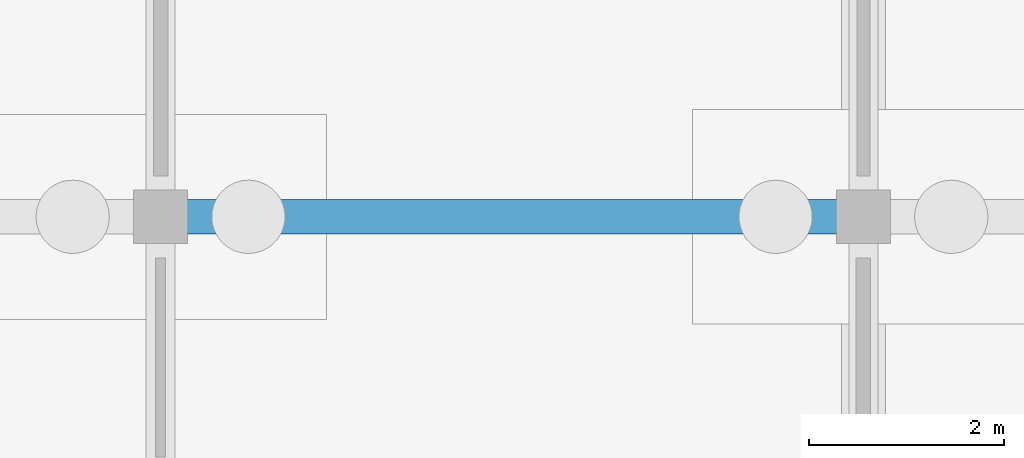
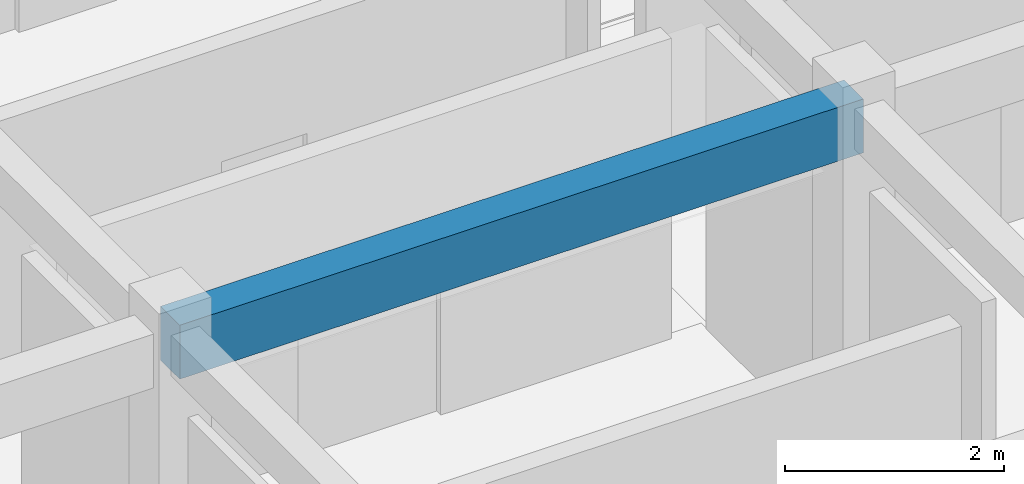
# One storey, part 23 of 111: 1 beam.
"""IFC4 building model written with IfcOpenShell, lengths in metres."""

import ifcopenshell
import ifcopenshell.guid

model = None  # the IFC model being written
_history = None  # IfcOwnerHistory: only IFC2X3 demands one
_inside = {}  # id of a spatial element -> (the spatial element, [elements in it])
_under = {}  # id of a project, library or spatial element -> (it, [spatial elements below it])
_declared = {}  # id of a project -> (the project, [libraries it declares])
_typed = {}  # id of a type object -> (the type object, [elements of that type])
_made_of = {}  # id of a material, layer set ... -> (it, [elements and type objects made of it])


def new_model(schema):
    """Start an empty IFC model of exactly this schema.

    Asked for "IFC4X3", IfcOpenShell would pick the latest addendum, in which some entities
    have other attributes; the version numbers below select the first issue.
    IFC2X3 requires an IfcOwnerHistory on every rooted entity: one is made here for all.
    """
    global model, _history
    if schema == "IFC4X3":
        model = ifcopenshell.file(schema_version=(4, 3, 0, 0))
    else:
        model = ifcopenshell.file(schema=schema)
    _inside.clear()
    _under.clear()
    _declared.clear()
    _typed.clear()
    _made_of.clear()
    _history = None
    if model.schema == "IFC2X3":
        org = make("IfcOrganization", Name="unknown")
        user = make(
            "IfcPersonAndOrganization",
            ThePerson=make("IfcPerson", FamilyName="unknown"),
            TheOrganization=org,
        )
        app = make(
            "IfcApplication",
            ApplicationDeveloper=org,
            Version="unknown",
            ApplicationFullName="unknown",
            ApplicationIdentifier="unknown",
        )
        _history = make(
            "IfcOwnerHistory",
            OwningUser=user,
            OwningApplication=app,
            ChangeAction="ADDED",
            CreationDate=0,
        )
    return model


def make(cls, **values):
    """One entity of the class cls with the attributes given. An attribute that is None is left unset."""
    return model.create_entity(
        cls, **{name: value for name, value in values.items() if value is not None}
    )


def rooted(cls, **values):
    """An entity with a GlobalId (a new one), such as an element, a storey or a relation."""
    return make(cls, GlobalId=ifcopenshell.guid.new(), OwnerHistory=_history, **values)


def si_unit(unit_type, name, prefix=None):
    """IfcSIUnit, for example si_unit("LENGTHUNIT", "METRE", prefix="MILLI")."""
    return make("IfcSIUnit", UnitType=unit_type, Prefix=prefix, Name=name)


def assignment(units):
    """IfcUnitAssignment: the units of a project."""
    return None if units is None else make("IfcUnitAssignment", Units=units)


def point(xyz):
    """IfcCartesianPoint."""
    return None if xyz is None else make("IfcCartesianPoint", Coordinates=xyz)


def direction(xyz):
    """IfcDirection."""
    return None if xyz is None else make("IfcDirection", DirectionRatios=xyz)


def frame(location, z_axis=None, x_axis=None):
    """IfcAxis2Placement3D, a coordinate frame: its origin and axes. An axis left out is left unset."""
    return make(
        "IfcAxis2Placement3D",
        Location=point(location),
        Axis=direction(z_axis),
        RefDirection=direction(x_axis),
    )


def frame_2d(location, x_axis=None):
    """IfcAxis2Placement2D, a coordinate frame in the plane: its origin and x axis."""
    return make(
        "IfcAxis2Placement2D", Location=point(location), RefDirection=direction(x_axis)
    )


def origin():
    """The frame at (0, 0, 0) with its axes left unset."""
    return frame((0.0, 0.0, 0.0))


def origin_2d():
    """The frame at (0, 0) in the plane with its x axis left unset."""
    return frame_2d((0.0, 0.0))


def place(relative_to, where):
    """IfcLocalPlacement: puts the frame where relative to a parent placement (None: the world)."""
    return make(
        "IfcLocalPlacement", PlacementRelTo=relative_to, RelativePlacement=where
    )


def context(
    kind, dimensions, precision=None, world=None, true_north=None, identifier=None
):
    """IfcGeometricRepresentationContext, for example the 3D "Model" context."""
    return make(
        "IfcGeometricRepresentationContext",
        ContextIdentifier=identifier,
        ContextType=kind,
        CoordinateSpaceDimension=dimensions,
        Precision=precision,
        WorldCoordinateSystem=world,
        TrueNorth=true_north,
    )


def subcontext(parent, identifier, kind, view, scale=None):
    """IfcGeometricRepresentationSubContext, for example "Body" below "Model"."""
    return make(
        "IfcGeometricRepresentationSubContext",
        ContextIdentifier=identifier,
        ContextType=kind,
        ParentContext=parent,
        TargetScale=scale,
        TargetView=view,
    )


def project(units=None, contexts=None):
    """IfcProject with its units and contexts."""
    return rooted(
        "IfcProject",
        Name="project",
        RepresentationContexts=contexts,
        UnitsInContext=assignment(units),
    )


def spatial(cls, under=None, at=None, **own):
    """A site, building, storey or space (cls), placed at a placement, below another one or the project."""
    s = rooted(cls, ObjectPlacement=at, **own)
    if under is not None:
        _under.setdefault(under.id(), (under, []))[1].append(s)
    return s


def profile(cls, at=None, kind="AREA", **sizes):
    """A parametric profile (cls). Its sizes go by their IFC names, for example OverallWidth=200.0."""
    return make(cls, ProfileType=kind, Position=at, **sizes)


def rectangle(**sizes):
    """IfcRectangleProfileDef."""
    return profile("IfcRectangleProfileDef", **sizes)


def extrude(swept, where, along, depth):
    """IfcExtrudedAreaSolid: the profile swept, set in the frame where, extruded along a direction by depth."""
    return make(
        "IfcExtrudedAreaSolid",
        SweptArea=swept,
        Position=where,
        ExtrudedDirection=direction(along),
        Depth=depth,
    )


def shape(context_of_items, identifier, shape_type, items):
    """IfcShapeRepresentation: the items that make up one representation, for example the "Body"."""
    return make(
        "IfcShapeRepresentation",
        ContextOfItems=context_of_items,
        RepresentationIdentifier=identifier,
        RepresentationType=shape_type,
        Items=items,
    )


def material(Name=None, Category=None):
    """IfcMaterial."""
    return make("IfcMaterial", Name=Name, Category=Category)


def material_profile(
    of_material, cross_section, Name=None, Category=None, Priority=None
):
    """IfcMaterialProfile: a cross section and its material."""
    return make(
        "IfcMaterialProfile",
        Name=Name,
        Material=of_material,
        Profile=cross_section,
        Priority=Priority,
        Category=Category,
    )


def profile_set(profiles, Name=None, composite=None):
    """IfcMaterialProfileSet."""
    return make(
        "IfcMaterialProfileSet",
        Name=Name,
        MaterialProfiles=profiles,
        CompositeProfile=composite,
    )


def made_of(thing, what):
    """Note that an element or type object is made of a material, layer set ...; save() writes the relation."""
    if what is not None:
        _made_of.setdefault(what.id(), (what, []))[1].append(thing)
    return thing


def type_object(cls, material=None, **own):
    """A type object (cls), such as IfcWallType, which elements share."""
    return made_of(rooted(cls, **own), material)


def element(
    cls,
    number,
    at=None,
    inside=None,
    cuts=None,
    type_object=None,
    material=None,
    context=None,
    identifier="Body",
    shape_type=None,
    held_by="IfcProductDefinitionShape",
    body=None,
    shapes=None,
    **own,
):
    """One element of the class cls, such as IfcWall. Its Tag is "e" and its number.

    at: its placement. inside: the storey or other place that contains it. cuts: it is an
    opening in that element (IfcRelVoidsElement). A single representation is given by context,
    identifier, shape_type and body (its items); several are given by shapes. held_by: the class
    of the entity that holds the representations. save() writes the other relations.
    """
    e = rooted(cls, Tag="e%d" % number, ObjectPlacement=at, **own)
    if body is not None:
        shapes = [shape(context, identifier, shape_type, body)]
    if shapes is not None:
        e.Representation = make(held_by, Representations=shapes)
    if inside is not None:
        _inside.setdefault(inside.id(), (inside, []))[1].append(e)
    if cuts is not None:
        rooted(
            "IfcRelVoidsElement", RelatingBuildingElement=cuts, RelatedOpeningElement=e
        )
    if type_object is not None:
        _typed.setdefault(type_object.id(), (type_object, []))[1].append(e)
    return made_of(e, material)


def aggregate(whole, parts):
    """IfcRelAggregates: a whole, such as a stair, and the parts it consists of."""
    return rooted("IfcRelAggregates", RelatingObject=whole, RelatedObjects=parts)


def save(model, path):
    """Write the relations noted so far, then the file.

    IfcRelAggregates (storeys below a building ...), IfcRelContainedInSpatialStructure (elements
    in a storey), IfcRelDefinesByType, IfcRelAssociatesMaterial and IfcRelDeclares: one each for
    every whole, place, type object, material and project.
    """
    for whole, parts in _under.values():
        aggregate(whole, parts)
    for where, things in _inside.values():
        rooted(
            "IfcRelContainedInSpatialStructure",
            RelatedElements=things,
            RelatingStructure=where,
        )
    for kind, things in _typed.values():
        rooted("IfcRelDefinesByType", RelatedObjects=things, RelatingType=kind)
    for what, things in _made_of.values():
        rooted("IfcRelAssociatesMaterial", RelatedObjects=things, RelatingMaterial=what)
    for by, libraries in _declared.values():
        rooted("IfcRelDeclares", RelatingContext=by, RelatedDefinitions=libraries)
    model.write(path)


model = new_model("IFC4")

# Units and contexts
model_context = context("Model", 3, precision=1e-05, world=origin(), true_north=direction((0.0, 1.0)))
body_context = subcontext(model_context, "Body", "Model", "MODEL_VIEW")
ifc_project = project(units=[si_unit("LENGTHUNIT", "METRE"), si_unit("AREAUNIT", "SQUARE_METRE"), si_unit("VOLUMEUNIT", "CUBIC_METRE"), si_unit("PLANEANGLEUNIT", "RADIAN"), si_unit("MASSUNIT", "GRAM", prefix="KILO")], contexts=[model_context])

# Site, building, storey
site_placement = place(None, origin())
site = spatial("IfcSite", under=ifc_project, at=site_placement, CompositionType="ELEMENT")
building_placement = place(site_placement, origin())
building = spatial("IfcBuilding", under=site, at=building_placement, Name="Aldebral Square Health Centre", CompositionType="ELEMENT")
storey_placement = place(building_placement, origin())
storey = spatial("IfcBuildingStorey", under=building, at=storey_placement, Name="L00", CompositionType="ELEMENT", Elevation=0.0)

# Beam
ifc_material = material(Name="Concrete C40/50", Category="concrete")
ifc_material_profile = material_profile(ifc_material, rectangle(XDim=0.35009765625, YDim=0.60009765625, at=origin_2d()), Name="RC 350x600")
ifc_profile_set = profile_set([ifc_material_profile], Name="Concrete C40/50")
beam_type = type_object("IfcBeamType", Name="BM-B2", PredefinedType="BEAM", material=ifc_profile_set)
beam_placement = place(storey_placement, frame((93.60009765625, 86.39990234375, 3.919921875), z_axis=(1.0, 0.0, 0.0), x_axis=(0.0, 1.0, 0.0)))
element("IfcBeam", 1, at=beam_placement, inside=storey, type_object=beam_type, Name="L00 X-beam 14-15/G13", PredefinedType="BEAM", context=body_context, shape_type="SweptSolid", body=[
    extrude(rectangle(XDim=0.35009765625, YDim=0.60009765625, at=origin_2d()), origin(), (0.0, 0.0, 1.0), 7.199951171875),
])

save(model, "model.ifc")
